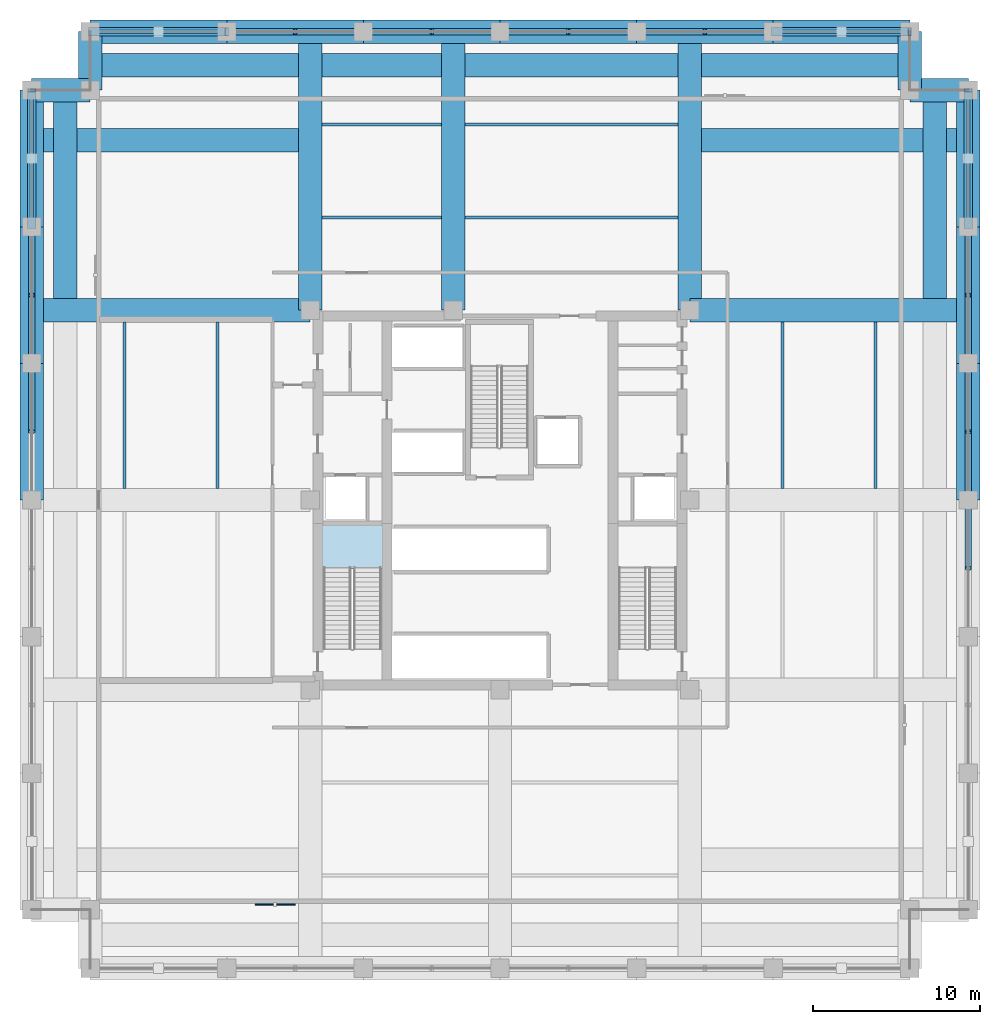
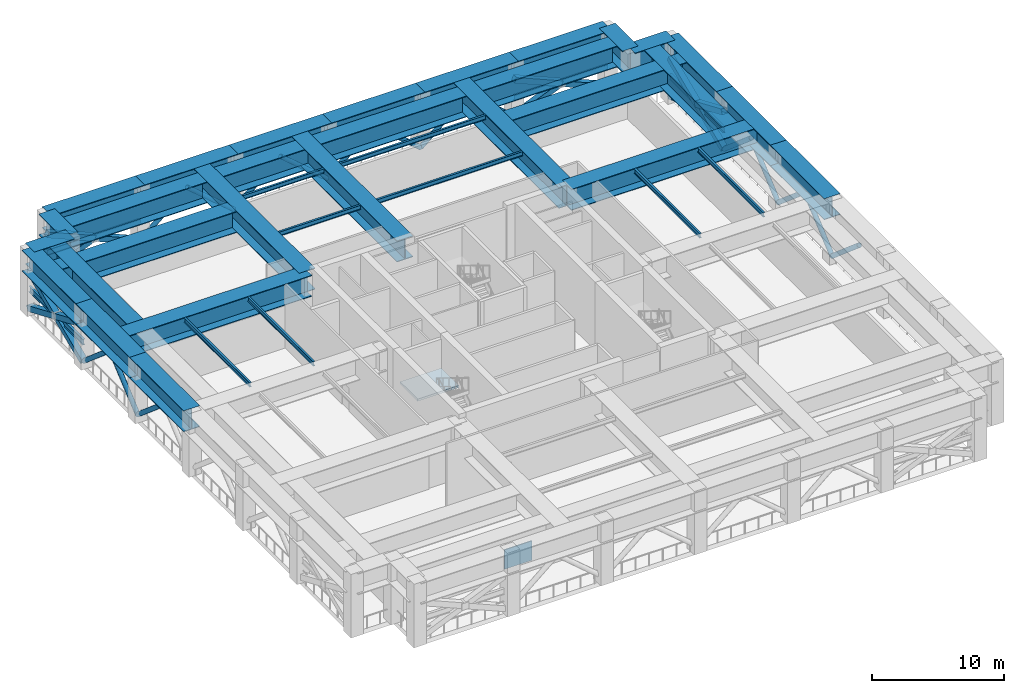
# One storey, part 2 of 12: 40 beams, 28 members, 1 plate, 1 slab, 1 element without a shape of its own.
"""IFC4 building model written with IfcOpenShell, lengths in metres."""

from ifc_helpers import new_model, si_unit, direction, frame, origin, origin_2d, place, context, subcontext, project, spatial, polyline, rectangle, hollow_rectangle, hollow_circle, i_section, outline, extrude, material, layer, layer_set, material_profile, profile_set, type_object, element, aggregate, save


model = new_model("IFC4")

# Units and contexts
model_context = context("Model", 3, precision=1e-05, world=origin(), true_north=direction((0.0, 1.0)))
body_context = subcontext(model_context, "Body", "Model", "MODEL_VIEW")
ifc_project = project(units=[si_unit("LENGTHUNIT", "METRE"), si_unit("AREAUNIT", "SQUARE_METRE"), si_unit("VOLUMEUNIT", "CUBIC_METRE"), si_unit("PLANEANGLEUNIT", "RADIAN"), si_unit("MASSUNIT", "GRAM", prefix="KILO")], contexts=[model_context])

# Site, building, storey
site_placement = place(None, origin())
site = spatial("IfcSite", under=ifc_project, at=site_placement, CompositionType="ELEMENT")
building_placement = place(site_placement, origin())
building = spatial("IfcBuilding", under=site, at=building_placement, Name="Nhamokura Convention Tower", CompositionType="ELEMENT")
storey_placement = place(building_placement, frame((0.0, 0.0, 99.75)))
storey = spatial("IfcBuildingStorey", under=building, at=storey_placement, Name="L24", CompositionType="ELEMENT", Elevation=99.75)

# Beams
ifc_material_1 = material(Name="Steel ASTM A992 Gr 50", Category="steel")
ifc_material_profile_1 = material_profile(ifc_material_1, i_section(OverallWidth=0.177001953125, OverallDepth=0.403076171875, WebThickness=0.007568359375, FlangeThickness=0.010986328125, at=origin_2d()))
ifc_profile_set_1 = profile_set([ifc_material_profile_1], Name="Steel ASTM A992 Gr 50")
beam_type_1 = type_object("IfcBeamType", Name="FloorJoist_W410X53", PredefinedType="JOIST", material=ifc_profile_set_1)
beam_1_placement = place(storey_placement, frame((21.347900390625, 48.89990234375, 5.678466796875), z_axis=(1.0, 0.0, 0.0), x_axis=(0.0, 1.0, 0.0)))
element("IfcBeam", 1, at=beam_1_placement, inside=storey, type_object=beam_type_1, Name="L24 Composite Floor Joist N1A", PredefinedType="JOIST", context=body_context, shape_type="SweptSolid", body=[
    extrude(i_section(OverallWidth=0.177001953125, OverallDepth=0.403076171875, WebThickness=0.007568359375, FlangeThickness=0.010986328125, at=origin_2d()), origin(), (0.0, 0.0, 1.0), 7.154052734375),
])
beam_2_placement = place(storey_placement, frame((29.89794921875, 48.89990234375, 5.678466796875), z_axis=(1.0, 0.0, 0.0), x_axis=(0.0, 1.0, 0.0)))
element("IfcBeam", 2, at=beam_2_placement, inside=storey, type_object=beam_type_1, Name="L24 Composite Floor Joist N1B", PredefinedType="JOIST", context=body_context, shape_type="SweptSolid", body=[
    extrude(i_section(OverallWidth=0.177001953125, OverallDepth=0.403076171875, WebThickness=0.007568359375, FlangeThickness=0.010986328125, at=origin_2d()), origin(), (0.0, 0.0, 1.0), 12.754150390625),
])
beam_3_placement = place(storey_placement, frame((21.347900390625, 54.449951171875, 5.678466796875), z_axis=(1.0, 0.0, 0.0), x_axis=(0.0, 1.0, 0.0)))
element("IfcBeam", 3, at=beam_3_placement, inside=storey, type_object=beam_type_1, Name="L24 Composite Floor Joist N2A", PredefinedType="JOIST", context=body_context, shape_type="SweptSolid", body=[
    extrude(i_section(OverallWidth=0.177001953125, OverallDepth=0.403076171875, WebThickness=0.007568359375, FlangeThickness=0.010986328125, at=origin_2d()), origin(), (0.0, 0.0, 1.0), 7.154052734375),
])
beam_4_placement = place(storey_placement, frame((29.89794921875, 54.449951171875, 5.678466796875), z_axis=(1.0, 0.0, 0.0), x_axis=(0.0, 1.0, 0.0)))
element("IfcBeam", 4, at=beam_4_placement, inside=storey, type_object=beam_type_1, Name="L24 Composite Floor Joist N2B", PredefinedType="JOIST", context=body_context, shape_type="SweptSolid", body=[
    extrude(i_section(OverallWidth=0.177001953125, OverallDepth=0.403076171875, WebThickness=0.007568359375, FlangeThickness=0.010986328125, at=origin_2d()), origin(), (0.0, 0.0, 1.0), 12.754150390625),
])
for number, where, z_axis, x_axis, name in (
    (5, (9.550048828125, 32.697998046875, 5.678466796875), (0.0, 1.0, 0.0), (-1.0, 0.0, 0.0), "L24 Composite Floor Joist W1B"),
    (6, (15.10009765625, 32.697998046875, 5.678466796875), (0.0, 1.0, 0.0), (-1.0, 0.0, 0.0), "L24 Composite Floor Joist W2B"),
    (7, (48.89990234375, 32.697998046875, 5.678466796875), (0.0, 1.0, 0.0), (-1.0, 0.0, 0.0), "L24 Composite Floor Joist E1B"),
    (8, (54.449951171875, 32.697998046875, 5.678466796875), (0.0, 1.0, 0.0), (-1.0, 0.0, 0.0), "L24 Composite Floor Joist E2B"),
):
    element("IfcBeam", number, at=place(storey_placement, frame(where, z_axis=z_axis, x_axis=x_axis)), inside=storey, type_object=beam_type_1, Name=name, PredefinedType="JOIST", context=body_context, shape_type="SweptSolid", body=[
        extrude(i_section(OverallWidth=0.177001953125, OverallDepth=0.403076171875, WebThickness=0.007568359375, FlangeThickness=0.010986328125, at=origin_2d()), origin(), (0.0, 0.0, 1.0), 9.9541015625),
    ])

# Members
ifc_material_2 = material(Name="Steel ASTM A572 Gr 50", Category="steel")
ifc_material_profile_2 = material_profile(ifc_material_2, hollow_rectangle(XDim=0.5, YDim=0.5, WallThickness=0.02490234375, at=origin_2d()))
ifc_profile_set_2 = profile_set([ifc_material_profile_2], Name="Steel ASTM A572 Gr 50")
member_type_1 = type_object("IfcMemberType", Name="OutriggerBrace_HSS500", PredefinedType="BRACE", material=ifc_profile_set_2)
member_1_placement = place(storey_placement, frame((7.5, 60.0, 0.35009765625), z_axis=(0.919960988503, 0.0, 0.392009922876), x_axis=(0.0, 1.0, 0.0)))
element("IfcMember", 9, at=member_1_placement, inside=storey, type_object=member_type_1, Name="L24 Continuous Outrigger Diagonal OUT-N0-1", PredefinedType="BRACE", context=body_context, shape_type="SweptSolid", body=[
    extrude(hollow_rectangle(XDim=0.5, YDim=0.5, WallThickness=0.02490234375, at=origin_2d()), origin(), (0.0, 0.0, 1.0), 8.877197265625),
])
member_2_placement = place(storey_placement, frame((7.5, 60.0, 3.830078125), z_axis=(0.9199567621, 0.0, -0.392019841165), x_axis=(0.0, 1.0, 0.0)))
element("IfcMember", 10, at=member_2_placement, inside=storey, type_object=member_type_1, Name="L24 Split Outrigger Diagonal OUT-N0-2A", PredefinedType="BRACE", context=body_context, shape_type="SweptSolid", body=[
    extrude(hollow_rectangle(XDim=0.5, YDim=0.5, WallThickness=0.02490234375, at=origin_2d()), origin(), (0.0, 0.0, 1.0), 4.4384765625),
])
member_3_placement = place(storey_placement, frame((11.583251953125, 60.0, 2.090087890625), z_axis=(0.919965214585, 0.0, -0.392000005043), x_axis=(0.0, 1.0, 0.0)))
element("IfcMember", 11, at=member_3_placement, inside=storey, type_object=member_type_1, Name="L24 Split Outrigger Diagonal OUT-N0-2B", PredefinedType="BRACE", context=body_context, shape_type="SweptSolid", body=[
    extrude(hollow_rectangle(XDim=0.5, YDim=0.5, WallThickness=0.02490234375, at=origin_2d()), origin(), (0.0, 0.0, 1.0), 4.438720703125),
])
member_4_placement = place(storey_placement, frame((48.333251953125, 60.0, 0.35009765625), z_axis=(0.919960988503, 0.0, 0.392009922876), x_axis=(0.0, 1.0, 0.0)))
element("IfcMember", 12, at=member_4_placement, inside=storey, type_object=member_type_1, Name="L24 Continuous Outrigger Diagonal OUT-N5-1", PredefinedType="BRACE", context=body_context, shape_type="SweptSolid", body=[
    extrude(hollow_rectangle(XDim=0.5, YDim=0.5, WallThickness=0.02490234375, at=origin_2d()), origin(), (0.0, 0.0, 1.0), 8.877197265625),
])
member_5_placement = place(storey_placement, frame((48.333251953125, 60.0, 3.830078125), z_axis=(0.919965214585, 0.0, -0.392000005043), x_axis=(0.0, 1.0, 0.0)))
element("IfcMember", 13, at=member_5_placement, inside=storey, type_object=member_type_1, Name="L24 Split Outrigger Diagonal OUT-N5-2A", PredefinedType="BRACE", context=body_context, shape_type="SweptSolid", body=[
    extrude(hollow_rectangle(XDim=0.5, YDim=0.5, WallThickness=0.02490234375, at=origin_2d()), origin(), (0.0, 0.0, 1.0), 4.438720703125),
])
member_6_placement = place(storey_placement, frame((52.416748046875, 60.0, 2.090087890625), z_axis=(0.9199567621, 0.0, -0.392019841165), x_axis=(0.0, 1.0, 0.0)))
element("IfcMember", 14, at=member_6_placement, inside=storey, type_object=member_type_1, Name="L24 Split Outrigger Diagonal OUT-N5-2B", PredefinedType="BRACE", context=body_context, shape_type="SweptSolid", body=[
    extrude(hollow_rectangle(XDim=0.5, YDim=0.5, WallThickness=0.02490234375, at=origin_2d()), origin(), (0.0, 0.0, 1.0), 4.4384765625),
])
member_7_placement = place(storey_placement, frame((4.0, 48.333251953125, 0.35009765625), z_axis=(0.0, 0.919960988503, 0.392009922876), x_axis=(-1.0, 0.0, 0.0)))
element("IfcMember", 15, at=member_7_placement, inside=storey, type_object=member_type_1, Name="L24 Continuous Outrigger Diagonal OUT-W5-1", PredefinedType="BRACE", context=body_context, shape_type="SweptSolid", body=[
    extrude(hollow_rectangle(XDim=0.5, YDim=0.5, WallThickness=0.02490234375, at=origin_2d()), origin(), (0.0, 0.0, 1.0), 8.877197265625),
])
member_8_placement = place(storey_placement, frame((4.0, 48.333251953125, 3.830078125), z_axis=(0.0, 0.919965214585, -0.392000005043), x_axis=(-1.0, 0.0, 0.0)))
element("IfcMember", 16, at=member_8_placement, inside=storey, type_object=member_type_1, Name="L24 Split Outrigger Diagonal OUT-W5-2A", PredefinedType="BRACE", context=body_context, shape_type="SweptSolid", body=[
    extrude(hollow_rectangle(XDim=0.5, YDim=0.5, WallThickness=0.02490234375, at=origin_2d()), origin(), (0.0, 0.0, 1.0), 4.438720703125),
])
member_9_placement = place(storey_placement, frame((4.0, 52.416748046875, 2.090087890625), z_axis=(0.0, 0.9199567621, -0.392019841165), x_axis=(-1.0, 0.0, 0.0)))
element("IfcMember", 17, at=member_9_placement, inside=storey, type_object=member_type_1, Name="L24 Split Outrigger Diagonal OUT-W5-2B", PredefinedType="BRACE", context=body_context, shape_type="SweptSolid", body=[
    extrude(hollow_rectangle(XDim=0.5, YDim=0.5, WallThickness=0.02490234375, at=origin_2d()), origin(), (0.0, 0.0, 1.0), 4.4384765625),
])
member_10_placement = place(storey_placement, frame((60.0, 48.333251953125, 0.35009765625), z_axis=(0.0, 0.919960988503, 0.392009922876), x_axis=(-1.0, 0.0, 0.0)))
element("IfcMember", 18, at=member_10_placement, inside=storey, type_object=member_type_1, Name="L24 Continuous Outrigger Diagonal OUT-E5-1", PredefinedType="BRACE", context=body_context, shape_type="SweptSolid", body=[
    extrude(hollow_rectangle(XDim=0.5, YDim=0.5, WallThickness=0.02490234375, at=origin_2d()), origin(), (0.0, 0.0, 1.0), 8.877197265625),
])
member_11_placement = place(storey_placement, frame((60.0, 48.333251953125, 3.830078125), z_axis=(0.0, 0.919965214585, -0.392000005043), x_axis=(-1.0, 0.0, 0.0)))
element("IfcMember", 19, at=member_11_placement, inside=storey, type_object=member_type_1, Name="L24 Split Outrigger Diagonal OUT-E5-2A", PredefinedType="BRACE", context=body_context, shape_type="SweptSolid", body=[
    extrude(hollow_rectangle(XDim=0.5, YDim=0.5, WallThickness=0.02490234375, at=origin_2d()), origin(), (0.0, 0.0, 1.0), 4.438720703125),
])
member_12_placement = place(storey_placement, frame((60.0, 52.416748046875, 2.090087890625), z_axis=(0.0, 0.9199567621, -0.392019841165), x_axis=(-1.0, 0.0, 0.0)))
element("IfcMember", 20, at=member_12_placement, inside=storey, type_object=member_type_1, Name="L24 Split Outrigger Diagonal OUT-E5-2B", PredefinedType="BRACE", context=body_context, shape_type="SweptSolid", body=[
    extrude(hollow_rectangle(XDim=0.5, YDim=0.5, WallThickness=0.02490234375, at=origin_2d()), origin(), (0.0, 0.0, 1.0), 4.4384765625),
])

# Beams
ifc_material_3 = material(Name="Steel ASTM A992 Gr 50", Category="steel")
ifc_material_profile_3 = material_profile(ifc_material_3, i_section(OverallWidth=0.208984375, OverallDepth=0.532958984375, WebThickness=0.01025390625, FlangeThickness=0.015625, at=origin_2d()))
ifc_profile_set_3 = profile_set([ifc_material_profile_3], Name="Steel ASTM A992 Gr 50")
beam_type_2 = type_object("IfcBeamType", Name="PrimaryGirder_W530X92", PredefinedType="BEAM", material=ifc_profile_set_3)
for number, where, z_axis, x_axis, name in (
    (21, (7.5, 60.0, 2.090087890625), (1.0, 0.0, 0.0), (0.0, 1.0, 0.0), "L24 Outrigger X-Brace Node Tie Beam OUT-N0"),
    (22, (48.333251953125, 60.0, 2.090087890625), (1.0, 0.0, 0.0), (0.0, 1.0, 0.0), "L24 Outrigger X-Brace Node Tie Beam OUT-N5"),
    (23, (4.0, 48.333251953125, 2.090087890625), (0.0, 1.0, 0.0), (-1.0, 0.0, 0.0), "L24 Outrigger X-Brace Node Tie Beam OUT-W5"),
    (24, (60.0, 48.333251953125, 2.090087890625), (0.0, 1.0, 0.0), (-1.0, 0.0, 0.0), "L24 Outrigger X-Brace Node Tie Beam OUT-E5"),
):
    element("IfcBeam", number, at=place(storey_placement, frame(where, z_axis=z_axis, x_axis=x_axis)), inside=storey, type_object=beam_type_2, Name=name, PredefinedType="BEAM", context=body_context, shape_type="SweptSolid", body=[
        extrude(i_section(OverallWidth=0.208984375, OverallDepth=0.532958984375, WebThickness=0.01025390625, FlangeThickness=0.015625, at=origin_2d()), origin(), (0.0, 0.0, 1.0), 8.166748046875),
    ])
ifc_material_4 = material(Name="Steel ASTM A572 Gr 50", Category="steel")
ifc_material_profile_4 = material_profile(ifc_material_4, i_section(OverallWidth=1.39990234375, OverallDepth=1.9599609375, WebThickness=0.054931640625, FlangeThickness=0.06005859375, at=origin_2d()))
ifc_profile_set_4 = profile_set([ifc_material_profile_4], Name="Steel ASTM A572 Gr 50")
beam_type_3 = type_object("IfcBeamType", Name="TransferGirder_2000", PredefinedType="USERDEFINED", material=ifc_profile_set_4)
beam_5_placement = place(storey_placement, frame((7.5, 60.0, 4.89990234375), z_axis=(1.0, 0.0, 0.0), x_axis=(0.0, 1.0, 0.0)))
element("IfcBeam", 25, at=beam_5_placement, inside=storey, type_object=beam_type_3, Name="L24 Perimeter Transfer Spandrel NORTH 1", ObjectType="TRANSFER_GIRDER", PredefinedType="USERDEFINED", context=body_context, shape_type="SweptSolid", body=[
    extrude(i_section(OverallWidth=1.39990234375, OverallDepth=1.9599609375, WebThickness=0.054931640625, FlangeThickness=0.06005859375, at=origin_2d()), origin(), (0.0, 0.0, 1.0), 8.166748046875),
])
beam_6_placement = place(storey_placement, frame((15.666748046875, 60.0, 4.89990234375), z_axis=(1.0, 0.0, 0.0), x_axis=(0.0, 1.0, 0.0)))
element("IfcBeam", 26, at=beam_6_placement, inside=storey, type_object=beam_type_3, Name="L24 Perimeter Transfer Spandrel NORTH 2", ObjectType="TRANSFER_GIRDER", PredefinedType="USERDEFINED", context=body_context, shape_type="SweptSolid", body=[
    extrude(i_section(OverallWidth=1.39990234375, OverallDepth=1.9599609375, WebThickness=0.054931640625, FlangeThickness=0.06005859375, at=origin_2d()), origin(), (0.0, 0.0, 1.0), 8.16650390625),
])
for number, where, z_axis, x_axis, name in (
    (27, (23.833251953125, 60.0, 4.89990234375), (1.0, 0.0, 0.0), (0.0, 1.0, 0.0), "L24 Perimeter Transfer Spandrel NORTH 3"),
    (28, (32.0, 60.0, 4.89990234375), (1.0, 0.0, 0.0), (0.0, 1.0, 0.0), "L24 Perimeter Transfer Spandrel NORTH 4"),
):
    element("IfcBeam", number, at=place(storey_placement, frame(where, z_axis=z_axis, x_axis=x_axis)), inside=storey, type_object=beam_type_3, Name=name, ObjectType="TRANSFER_GIRDER", PredefinedType="USERDEFINED", context=body_context, shape_type="SweptSolid", body=[
        extrude(i_section(OverallWidth=1.39990234375, OverallDepth=1.9599609375, WebThickness=0.054931640625, FlangeThickness=0.06005859375, at=origin_2d()), origin(), (0.0, 0.0, 1.0), 8.166748046875),
    ])
beam_7_placement = place(storey_placement, frame((40.166748046875, 60.0, 4.89990234375), z_axis=(1.0, 0.0, 0.0), x_axis=(0.0, 1.0, 0.0)))
element("IfcBeam", 29, at=beam_7_placement, inside=storey, type_object=beam_type_3, Name="L24 Perimeter Transfer Spandrel NORTH 5", ObjectType="TRANSFER_GIRDER", PredefinedType="USERDEFINED", context=body_context, shape_type="SweptSolid", body=[
    extrude(i_section(OverallWidth=1.39990234375, OverallDepth=1.9599609375, WebThickness=0.054931640625, FlangeThickness=0.06005859375, at=origin_2d()), origin(), (0.0, 0.0, 1.0), 8.16650390625),
])
for number, where, z_axis, x_axis, name in (
    (30, (48.333251953125, 60.0, 4.89990234375), (1.0, 0.0, 0.0), (0.0, 1.0, 0.0), "L24 Perimeter Transfer Spandrel NORTH 6"),
    (31, (4.0, 32.0, 4.89990234375), (0.0, 1.0, 0.0), (-1.0, 0.0, 0.0), "L24 Perimeter Transfer Spandrel WEST 4"),
):
    element("IfcBeam", number, at=place(storey_placement, frame(where, z_axis=z_axis, x_axis=x_axis)), inside=storey, type_object=beam_type_3, Name=name, ObjectType="TRANSFER_GIRDER", PredefinedType="USERDEFINED", context=body_context, shape_type="SweptSolid", body=[
        extrude(i_section(OverallWidth=1.39990234375, OverallDepth=1.9599609375, WebThickness=0.054931640625, FlangeThickness=0.06005859375, at=origin_2d()), origin(), (0.0, 0.0, 1.0), 8.166748046875),
    ])
beam_8_placement = place(storey_placement, frame((4.0, 40.166748046875, 4.89990234375), z_axis=(0.0, 1.0, 0.0), x_axis=(-1.0, 0.0, 0.0)))
element("IfcBeam", 32, at=beam_8_placement, inside=storey, type_object=beam_type_3, Name="L24 Perimeter Transfer Spandrel WEST 5", ObjectType="TRANSFER_GIRDER", PredefinedType="USERDEFINED", context=body_context, shape_type="SweptSolid", body=[
    extrude(i_section(OverallWidth=1.39990234375, OverallDepth=1.9599609375, WebThickness=0.054931640625, FlangeThickness=0.06005859375, at=origin_2d()), origin(), (0.0, 0.0, 1.0), 8.16650390625),
])
for number, where, z_axis, x_axis, name in (
    (33, (4.0, 48.333251953125, 4.89990234375), (0.0, 1.0, 0.0), (-1.0, 0.0, 0.0), "L24 Perimeter Transfer Spandrel WEST 6"),
    (34, (60.0, 32.0, 4.89990234375), (0.0, 1.0, 0.0), (-1.0, 0.0, 0.0), "L24 Perimeter Transfer Spandrel EAST 4"),
):
    element("IfcBeam", number, at=place(storey_placement, frame(where, z_axis=z_axis, x_axis=x_axis)), inside=storey, type_object=beam_type_3, Name=name, ObjectType="TRANSFER_GIRDER", PredefinedType="USERDEFINED", context=body_context, shape_type="SweptSolid", body=[
        extrude(i_section(OverallWidth=1.39990234375, OverallDepth=1.9599609375, WebThickness=0.054931640625, FlangeThickness=0.06005859375, at=origin_2d()), origin(), (0.0, 0.0, 1.0), 8.166748046875),
    ])
beam_9_placement = place(storey_placement, frame((60.0, 40.166748046875, 4.89990234375), z_axis=(0.0, 1.0, 0.0), x_axis=(-1.0, 0.0, 0.0)))
element("IfcBeam", 35, at=beam_9_placement, inside=storey, type_object=beam_type_3, Name="L24 Perimeter Transfer Spandrel EAST 5", ObjectType="TRANSFER_GIRDER", PredefinedType="USERDEFINED", context=body_context, shape_type="SweptSolid", body=[
    extrude(i_section(OverallWidth=1.39990234375, OverallDepth=1.9599609375, WebThickness=0.054931640625, FlangeThickness=0.06005859375, at=origin_2d()), origin(), (0.0, 0.0, 1.0), 8.16650390625),
])
beam_10_placement = place(storey_placement, frame((60.0, 48.333251953125, 4.89990234375), z_axis=(0.0, 1.0, 0.0), x_axis=(-1.0, 0.0, 0.0)))
element("IfcBeam", 36, at=beam_10_placement, inside=storey, type_object=beam_type_3, Name="L24 Perimeter Transfer Spandrel EAST 6", ObjectType="TRANSFER_GIRDER", PredefinedType="USERDEFINED", context=body_context, shape_type="SweptSolid", body=[
    extrude(i_section(OverallWidth=1.39990234375, OverallDepth=1.9599609375, WebThickness=0.054931640625, FlangeThickness=0.06005859375, at=origin_2d()), origin(), (0.0, 0.0, 1.0), 8.166748046875),
])
for number, where, z_axis, x_axis, name in (
    (37, (60.0, 56.5, 4.89990234375), (-1.0, 0.0, 0.0), (0.0, -1.0, 0.0), "L24 Notch Transfer Spandrel NE1"),
    (38, (56.5, 56.5, 4.89990234375), (0.0, 1.0, 0.0), (-1.0, 0.0, 0.0), "L24 Notch Transfer Spandrel NE2"),
    (39, (7.5, 60.0, 4.89990234375), (0.0, -1.0, 0.0), (1.0, 0.0, 0.0), "L24 Notch Transfer Spandrel NW1"),
    (40, (7.5, 56.5, 4.89990234375), (-1.0, 0.0, 0.0), (0.0, -1.0, 0.0), "L24 Notch Transfer Spandrel NW2"),
):
    element("IfcBeam", number, at=place(storey_placement, frame(where, z_axis=z_axis, x_axis=x_axis)), inside=storey, type_object=beam_type_3, Name=name, ObjectType="TRANSFER_GIRDER", PredefinedType="USERDEFINED", context=body_context, shape_type="SweptSolid", body=[
        extrude(i_section(OverallWidth=1.39990234375, OverallDepth=1.9599609375, WebThickness=0.054931640625, FlangeThickness=0.06005859375, at=origin_2d()), origin(), (0.0, 0.0, 1.0), 3.5),
    ])
beam_11_placement = place(storey_placement, frame((8.197998046875, 58.0, 4.89990234375), z_axis=(1.0, 0.0, 0.0), x_axis=(0.0, 1.0, 0.0)))
element("IfcBeam", 41, at=beam_11_placement, inside=storey, type_object=beam_type_3, Name="L24 Upper-Line Transfer Girder TGU-NW", ObjectType="TRANSFER_GIRDER", PredefinedType="USERDEFINED", context=body_context, shape_type="SweptSolid", body=[
    extrude(i_section(OverallWidth=1.39990234375, OverallDepth=1.9599609375, WebThickness=0.054931640625, FlangeThickness=0.06005859375, at=origin_2d()), origin(), (0.0, 0.0, 1.0), 11.75390625),
])
beam_12_placement = place(storey_placement, frame((21.347900390625, 58.0, 4.89990234375), z_axis=(1.0, 0.0, 0.0), x_axis=(0.0, 1.0, 0.0)))
element("IfcBeam", 42, at=beam_12_placement, inside=storey, type_object=beam_type_3, Name="L24 Upper-Line Transfer Girder TGU-NM", ObjectType="TRANSFER_GIRDER", PredefinedType="USERDEFINED", context=body_context, shape_type="SweptSolid", body=[
    extrude(i_section(OverallWidth=1.39990234375, OverallDepth=1.9599609375, WebThickness=0.054931640625, FlangeThickness=0.06005859375, at=origin_2d()), origin(), (0.0, 0.0, 1.0), 21.30419921875),
])
for number, where, z_axis, x_axis, name in (
    (43, (44.048095703125, 58.0, 4.89990234375), (1.0, 0.0, 0.0), (0.0, 1.0, 0.0), "L24 Upper-Line Transfer Girder TGU-NE"),
    (44, (6.0, 44.048095703125, 4.89990234375), (0.0, 1.0, 0.0), (-1.0, 0.0, 0.0), "L24 Upper-Line Transfer Girder TGU-WN"),
    (45, (58.0, 44.048095703125, 4.89990234375), (0.0, 1.0, 0.0), (-1.0, 0.0, 0.0), "L24 Upper-Line Transfer Girder TGU-EN"),
):
    element("IfcBeam", number, at=place(storey_placement, frame(where, z_axis=z_axis, x_axis=x_axis)), inside=storey, type_object=beam_type_3, Name=name, ObjectType="TRANSFER_GIRDER", PredefinedType="USERDEFINED", context=body_context, shape_type="SweptSolid", body=[
        extrude(i_section(OverallWidth=1.39990234375, OverallDepth=1.9599609375, WebThickness=0.054931640625, FlangeThickness=0.06005859375, at=origin_2d()), origin(), (0.0, 0.0, 1.0), 11.75390625),
    ])
for number, where, z_axis, x_axis, name in (
    (46, (44.048095703125, 53.5, 4.89990234375), (1.0, 0.0, 0.0), (0.0, 1.0, 0.0), "L24 Upper-Line Transfer Girder TGN-NE0"),
    (47, (4.697998046875, 53.5, 4.89990234375), (1.0, 0.0, 0.0), (0.0, 1.0, 0.0), "L24 Upper-Line Transfer Girder TGN-NW0"),
):
    element("IfcBeam", number, at=place(storey_placement, frame(where, z_axis=z_axis, x_axis=x_axis)), inside=storey, type_object=beam_type_3, Name=name, ObjectType="TRANSFER_GIRDER", PredefinedType="USERDEFINED", context=body_context, shape_type="SweptSolid", body=[
        extrude(i_section(OverallWidth=1.39990234375, OverallDepth=1.9599609375, WebThickness=0.054931640625, FlangeThickness=0.06005859375, at=origin_2d()), origin(), (0.0, 0.0, 1.0), 15.25390625),
    ])
for number, where, z_axis, x_axis, name in (
    (48, (20.64990234375, 43.35009765625, 4.89990234375), (0.0, 1.0, 0.0), (-1.0, 0.0, 0.0), "L24 Primary Floor Girder PG-N1"),
    (49, (29.199951171875, 43.35009765625, 4.89990234375), (0.0, 1.0, 0.0), (-1.0, 0.0, 0.0), "L24 Primary Floor Girder PG-N2"),
    (50, (43.35009765625, 43.35009765625, 4.89990234375), (0.0, 1.0, 0.0), (-1.0, 0.0, 0.0), "L24 Primary Floor Girder PG-N3"),
    (51, (4.0, 43.35009765625, 4.89990234375), (1.0, 0.0, 0.0), (0.0, 1.0, 0.0), "L24 Primary Floor Girder PG-W3"),
    (52, (43.35009765625, 43.35009765625, 4.89990234375), (1.0, 0.0, 0.0), (0.0, 1.0, 0.0), "L24 Primary Floor Girder PG-E3"),
):
    element("IfcBeam", number, at=place(storey_placement, frame(where, z_axis=z_axis, x_axis=x_axis)), inside=storey, type_object=beam_type_3, Name=name, ObjectType="TRANSFER_GIRDER", PredefinedType="USERDEFINED", context=body_context, shape_type="SweptSolid", body=[
        extrude(i_section(OverallWidth=1.39990234375, OverallDepth=1.9599609375, WebThickness=0.054931640625, FlangeThickness=0.06005859375, at=origin_2d()), origin(), (0.0, 0.0, 1.0), 16.64990234375),
    ])

# Members
ifc_material_5 = material(Name="Steel ASTM A572 Gr 50", Category="steel")
ifc_material_profile_5 = material_profile(ifc_material_5, hollow_circle(Radius=0.203125, WallThickness=0.01611328125, at=origin_2d()))
ifc_profile_set_5 = profile_set([ifc_material_profile_5], Name="Steel ASTM A572 Gr 50")
member_type_2 = type_object("IfcMemberType", Name="WindPortalStrut_CHS406", PredefinedType="STRUT", material=ifc_profile_set_5)
for number, where, z_axis, x_axis, name in (
    (53, (15.666748046875, 60.0, 0.35009765625), (0.761090955501, 0.0, 0.648645170686), (0.0, 1.0, 0.0), "L24 Belt Truss Member NORTH 1A"),
    (54, (19.75, 60.0, 3.830078125), (0.761090955501, 0.0, -0.648645170686), (0.0, 1.0, 0.0), "L24 Belt Truss Member NORTH 1B"),
):
    element("IfcMember", number, at=place(storey_placement, frame(where, z_axis=z_axis, x_axis=x_axis)), inside=storey, type_object=member_type_2, Name=name, PredefinedType="STRUT", context=body_context, shape_type="SweptSolid", body=[
        extrude(hollow_circle(Radius=0.203125, WallThickness=0.01611328125, at=origin_2d()), origin(), (0.0, 0.0, 1.0), 5.364990234375),
    ])
member_13_placement = place(storey_placement, frame((23.833251953125, 60.0, 0.35009765625), z_axis=(0.761110100805, 0.0, 0.64862270578), x_axis=(0.0, 1.0, 0.0)))
element("IfcMember", 55, at=member_13_placement, inside=storey, type_object=member_type_2, Name="L24 Belt Truss Member NORTH 2A", PredefinedType="STRUT", context=body_context, shape_type="SweptSolid", body=[
    extrude(hollow_circle(Radius=0.203125, WallThickness=0.01611328125, at=origin_2d()), origin(), (0.0, 0.0, 1.0), 5.365234375),
])
for number, where, z_axis, x_axis, name in (
    (56, (27.916748046875, 60.0, 3.830078125), (0.761090955501, 0.0, -0.648645170686), (0.0, 1.0, 0.0), "L24 Belt Truss Member NORTH 2B"),
    (57, (32.0, 60.0, 0.35009765625), (0.761090955501, 0.0, 0.648645170686), (0.0, 1.0, 0.0), "L24 Belt Truss Member NORTH 3A"),
):
    element("IfcMember", number, at=place(storey_placement, frame(where, z_axis=z_axis, x_axis=x_axis)), inside=storey, type_object=member_type_2, Name=name, PredefinedType="STRUT", context=body_context, shape_type="SweptSolid", body=[
        extrude(hollow_circle(Radius=0.203125, WallThickness=0.01611328125, at=origin_2d()), origin(), (0.0, 0.0, 1.0), 5.364990234375),
    ])
member_14_placement = place(storey_placement, frame((36.083251953125, 60.0, 3.830078125), z_axis=(0.761110100805, 0.0, -0.64862270578), x_axis=(0.0, 1.0, 0.0)))
element("IfcMember", 58, at=member_14_placement, inside=storey, type_object=member_type_2, Name="L24 Belt Truss Member NORTH 3B", PredefinedType="STRUT", context=body_context, shape_type="SweptSolid", body=[
    extrude(hollow_circle(Radius=0.203125, WallThickness=0.01611328125, at=origin_2d()), origin(), (0.0, 0.0, 1.0), 5.365234375),
])
for number, where, z_axis, x_axis, name in (
    (59, (40.166748046875, 60.0, 0.35009765625), (0.761090955501, 0.0, 0.648645170686), (0.0, 1.0, 0.0), "L24 Belt Truss Member NORTH 4A"),
    (60, (44.25, 60.0, 3.830078125), (0.761090955501, 0.0, -0.648645170686), (0.0, 1.0, 0.0), "L24 Belt Truss Member NORTH 4B"),
):
    element("IfcMember", number, at=place(storey_placement, frame(where, z_axis=z_axis, x_axis=x_axis)), inside=storey, type_object=member_type_2, Name=name, PredefinedType="STRUT", context=body_context, shape_type="SweptSolid", body=[
        extrude(hollow_circle(Radius=0.203125, WallThickness=0.01611328125, at=origin_2d()), origin(), (0.0, 0.0, 1.0), 5.364990234375),
    ])
member_15_placement = place(storey_placement, frame((4.0, 36.083251953125, 3.830078125), z_axis=(0.0, 0.761110100805, -0.64862270578), x_axis=(-1.0, 0.0, 0.0)))
element("IfcMember", 61, at=member_15_placement, inside=storey, type_object=member_type_2, Name="L24 Belt Truss Member WEST 3B", PredefinedType="STRUT", context=body_context, shape_type="SweptSolid", body=[
    extrude(hollow_circle(Radius=0.203125, WallThickness=0.01611328125, at=origin_2d()), origin(), (0.0, 0.0, 1.0), 5.365234375),
])
for number, where, z_axis, x_axis, name in (
    (62, (4.0, 40.166748046875, 0.35009765625), (0.0, 0.761090955501, 0.648645170686), (-1.0, 0.0, 0.0), "L24 Belt Truss Member WEST 4A"),
    (63, (4.0, 44.25, 3.830078125), (0.0, 0.761090955501, -0.648645170686), (-1.0, 0.0, 0.0), "L24 Belt Truss Member WEST 4B"),
    (64, (60.0, 27.916748046875, 3.830078125), (0.0, 0.761090955501, -0.648645170686), (-1.0, 0.0, 0.0), "L24 Belt Truss Member EAST 2B"),
    (65, (60.0, 32.0, 0.35009765625), (0.0, 0.761090955501, 0.648645170686), (-1.0, 0.0, 0.0), "L24 Belt Truss Member EAST 3A"),
):
    element("IfcMember", number, at=place(storey_placement, frame(where, z_axis=z_axis, x_axis=x_axis)), inside=storey, type_object=member_type_2, Name=name, PredefinedType="STRUT", context=body_context, shape_type="SweptSolid", body=[
        extrude(hollow_circle(Radius=0.203125, WallThickness=0.01611328125, at=origin_2d()), origin(), (0.0, 0.0, 1.0), 5.364990234375),
    ])
member_16_placement = place(storey_placement, frame((60.0, 36.083251953125, 3.830078125), z_axis=(0.0, 0.761110100805, -0.64862270578), x_axis=(-1.0, 0.0, 0.0)))
element("IfcMember", 66, at=member_16_placement, inside=storey, type_object=member_type_2, Name="L24 Belt Truss Member EAST 3B", PredefinedType="STRUT", context=body_context, shape_type="SweptSolid", body=[
    extrude(hollow_circle(Radius=0.203125, WallThickness=0.01611328125, at=origin_2d()), origin(), (0.0, 0.0, 1.0), 5.365234375),
])
for number, where, z_axis, x_axis, name in (
    (67, (60.0, 40.166748046875, 0.35009765625), (0.0, 0.761090955501, 0.648645170686), (-1.0, 0.0, 0.0), "L24 Belt Truss Member EAST 4A"),
    (68, (60.0, 44.25, 3.830078125), (0.0, 0.761090955501, -0.648645170686), (-1.0, 0.0, 0.0), "L24 Belt Truss Member EAST 4B"),
):
    element("IfcMember", number, at=place(storey_placement, frame(where, z_axis=z_axis, x_axis=x_axis)), inside=storey, type_object=member_type_2, Name=name, PredefinedType="STRUT", context=body_context, shape_type="SweptSolid", body=[
        extrude(hollow_circle(Radius=0.203125, WallThickness=0.01611328125, at=origin_2d()), origin(), (0.0, 0.0, 1.0), 5.364990234375),
    ])

# Plate
ifc_material_6 = material(Name="Anodised bronze aluminium AA6063-T6", Category="aluminium")
ifc_layer_1 = layer(ifc_material_6, 0.0849609375)
ifc_layer_set_1 = layer_set([ifc_layer_1], Name="AcousticLouvrePlate_1")
plate_type = type_object("IfcPlateType", Name="AcousticLouvrePlate_1", PredefinedType="USERDEFINED", material=ifc_layer_set_1)
plate_placement = place(storey_placement, frame((18.56005859375, 7.8173828125, 1.0), z_axis=(0.0, 0.0, 1.0), x_axis=(-1.0, 0.0, 0.0)))
element("IfcPlate", 69, at=plate_placement, inside=storey, type_object=plate_type, Name="L24 Plant Acoustic Louvre S", ObjectType="ACOUSTIC_LOUVRE", PredefinedType="USERDEFINED", context=body_context, shape_type="SweptSolid", body=[
    extrude(rectangle(XDim=2.39990234375, YDim=0.0849609375, at=origin_2d()), origin(), (0.0, 0.0, 1.0), 1.800048828125),
])

# Stair, slab
ifc_material_7 = material(Name="Concrete C40/50", Category="concrete")
stair_type = type_object("IfcStairType", Name="TowerCoreStair_1650", PredefinedType="HALF_TURN_STAIR", material=ifc_material_7)
stair_placement = place(storey_placement, origin())
stair = element("IfcStair", 70, at=stair_placement, inside=storey, type_object=stair_type, Name="L24 West Core Smokeproof Stair ST-01", PredefinedType="HALF_TURN_STAIR")
ifc_material_8 = material(Name="Concrete C40/50", Category="concrete")
ifc_layer_2 = layer(ifc_material_8, 0.199951171875)
ifc_layer_set_2 = layer_set([ifc_layer_2], Name="StairLandingSlab_200")
slab_type = type_object("IfcSlabType", Name="StairLandingSlab_200", PredefinedType="LANDING", material=ifc_layer_set_2)
slab_placement = place(storey_placement, frame((0.0, 0.0, 2.949951171875)))
slab = element("IfcSlab", 71, at=slab_placement, type_object=slab_type, Name="ST-01 landing 1", PredefinedType="LANDING", context=body_context, shape_type="SweptSolid", body=[
    extrude(outline(polyline([(24.97998046875, 27.864990234375), (24.97998046875, 30.530029296875), (21.3701171875, 30.530029296875), (21.3701171875, 27.864990234375), (24.97998046875, 27.864990234375)])), origin(), (0.0, 0.0, 1.0), 0.199951171875),
])
aggregate(stair, [slab])

save(model, "model.ifc")
